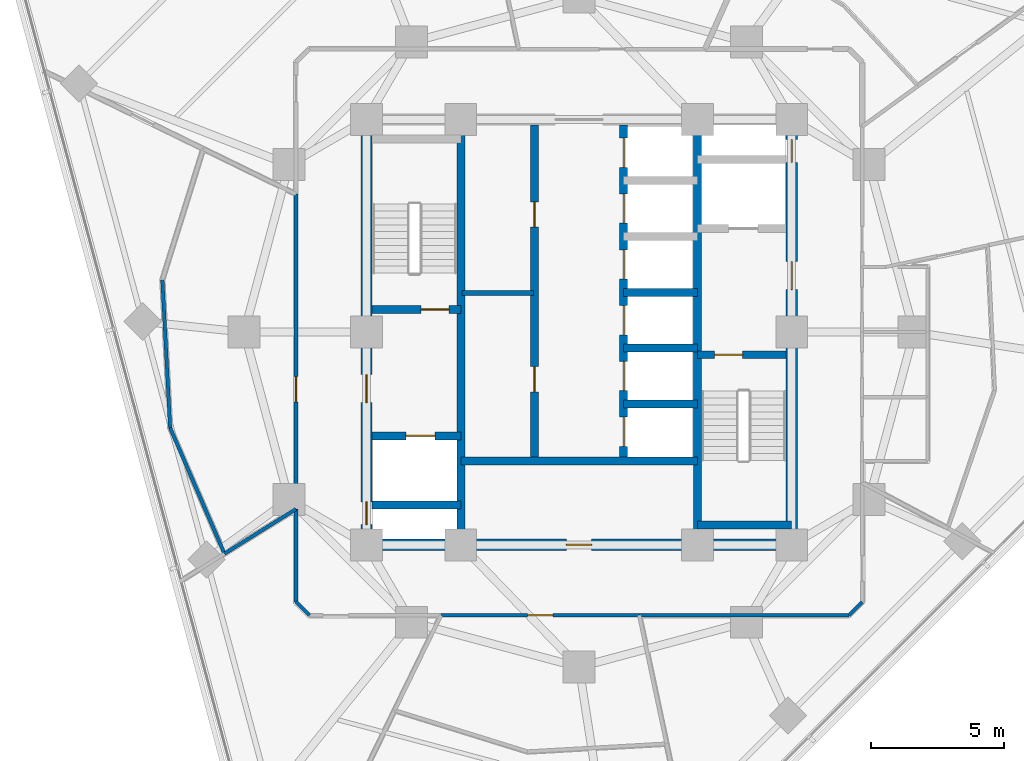
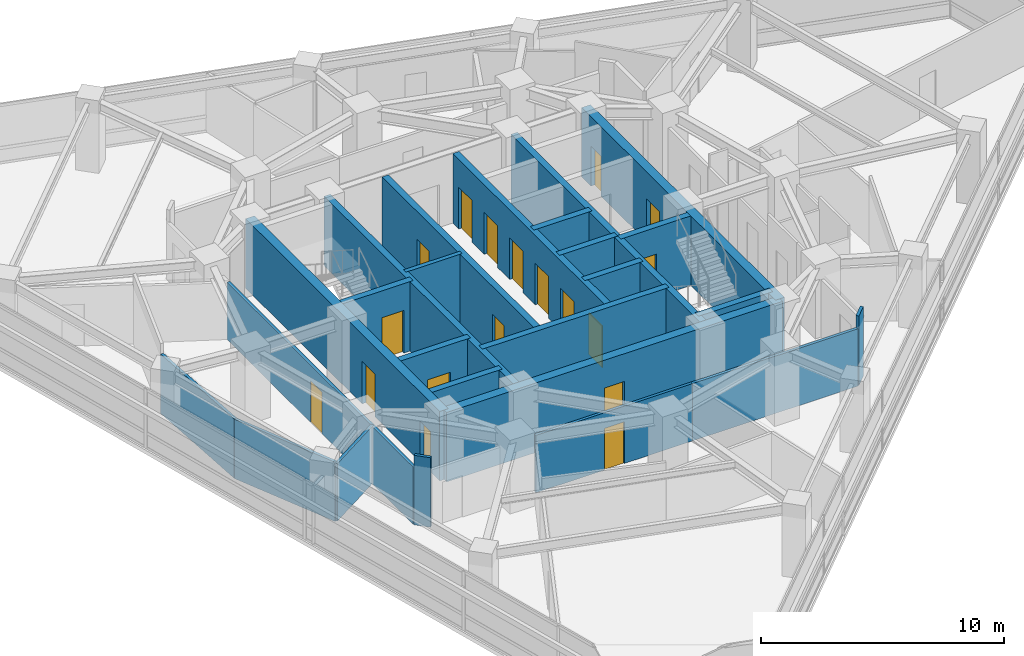
# One storey, part 7 of 14: 26 walls, 18 doors, 18 openings.
"""IFC4 building model written with IfcOpenShell, lengths in metres."""

from ifc_helpers import new_model, si_unit, direction, frame, frame_2d, origin, place, context, subcontext, project, spatial, rectangle, extrude, material, layer, layer_set, type_object, element, fill, save


model = new_model("IFC4")

# Units and contexts
model_context = context("Model", 3, precision=1e-05, world=origin(), true_north=direction((0.0, 1.0)))
body_context = subcontext(model_context, "Body", "Model", "MODEL_VIEW")
ifc_project = project(units=[si_unit("LENGTHUNIT", "METRE"), si_unit("AREAUNIT", "SQUARE_METRE"), si_unit("VOLUMEUNIT", "CUBIC_METRE"), si_unit("PLANEANGLEUNIT", "RADIAN"), si_unit("MASSUNIT", "GRAM", prefix="KILO")], contexts=[model_context])

# Site, building, storey
site_placement = place(None, origin())
site = spatial("IfcSite", under=ifc_project, at=site_placement, CompositionType="ELEMENT")
building_placement = place(site_placement, origin())
building = spatial("IfcBuilding", under=site, at=building_placement, Name="Terralouvre Media Tower", CompositionType="ELEMENT")
storey_placement = place(building_placement, frame((0.0, 0.0, 184.199951171875)))
storey = spatial("IfcBuildingStorey", under=building, at=storey_placement, Name="L47", CompositionType="ELEMENT", Elevation=184.199951171875)

# Walls
ifc_material_1 = material(Name="Concrete C50/60", Category="concrete")
ifc_layer_1 = layer(ifc_material_1, 0.300048828125, Name="Core Internal Shaft Wall CW-300")
ifc_layer_set_1 = layer_set([ifc_layer_1], Name="Concrete C50/60")
wall_type_1 = type_object("IfcWallType", Name="Core Internal Shaft Wall CW-300", PredefinedType="SHEAR", material=ifc_layer_set_1)
for number, where, z_axis, x_axis, name in (
    (1, (-4.449951171875, -7.7900390625, 0.0), (0.0, 0.0, 1.0), (0.0, 1.0, 0.0), "L47 Core Shaft Wall SPW"),
    (2, (4.449951171875, -7.7900390625, 0.0), (0.0, 0.0, 1.0), (0.0, 1.0, 0.0), "L47 Core Shaft Wall SPE"),
):
    element("IfcWall", number, at=place(storey_placement, frame(where, z_axis=z_axis, x_axis=x_axis)), inside=storey, type_object=wall_type_1, Name=name, PredefinedType="SHEAR", context=body_context, shape_type="SweptSolid", body=[
        extrude(rectangle(XDim=15.580078125, YDim=0.300048828125, at=frame_2d((7.7900390625, 0.0))), origin(), (0.0, 0.0, 1.0), 3.5),
    ])

# Wall, opening, door
wall_1_placement = place(storey_placement, frame((-7.7900390625, 0.85009765625, 0.0), z_axis=(0.0, 0.0, 1.0), x_axis=(1.0, 0.0, 0.0)))
wall_1 = element("IfcWall", 3, at=wall_1_placement, inside=storey, type_object=wall_type_1, Name="L47 Core Shaft Wall ST1D", PredefinedType="SHEAR", context=body_context, shape_type="SweptSolid", body=[
    extrude(rectangle(XDim=3.340087890625, YDim=0.300048828125, at=frame_2d((1.669921875, 0.0))), origin(), (0.0, 0.0, 1.0), 3.5),
])
opening_1_placement = place(wall_1_placement, frame((1.85009765625, 0.0, 0.0)))
opening_1 = element("IfcOpeningElement", 4, at=opening_1_placement, cuts=wall_1, Name="Opening FD-01-105X215", PredefinedType="OPENING", context=body_context, shape_type="SweptSolid", body=[
    extrude(rectangle(XDim=1.050048828125, YDim=2.14990234375, at=frame_2d((0.52490234375, 1.074951171875))), frame((0.0, 0.159912109375, 0.0), z_axis=(0.0, -1.0, 0.0), x_axis=(1.0, 0.0, 0.0)), (0.0, 0.0, 1.0), 0.320068359375),
])
ifc_material_2 = material(Name="Galvanised steel fire-resisting leaf", Category="steel")
door_type_1 = type_object("IfcDoorType", Name="Stair and Firefighting Lobby Fire Door FD-01 (1050x2150)", OperationType="NOTDEFINED", PredefinedType="DOOR", material=ifc_material_2)
door_1_placement = place(opening_1_placement, origin())
door_1 = element("IfcDoor", 5, at=door_1_placement, inside=storey, type_object=door_type_1, Name="L47 ST-01 Exit Stair Door", OperationType="SINGLE_SWING_LEFT", OverallHeight=2.14990234375, OverallWidth=1.050048828125, PredefinedType="DOOR", context=body_context, shape_type="SweptSolid", body=[
    extrude(rectangle(XDim=1.050048828125, YDim=2.14990234375, at=frame_2d((0.52490234375, 1.074951171875))), frame((0.0, 0.02490234375, 0.0), z_axis=(0.0, -1.0, 0.0), x_axis=(1.0, 0.0, 0.0)), (0.0, 0.0, 1.0), 0.050048828125),
])
fill(opening_1, door_1)

wall_2_placement = place(storey_placement, frame((4.449951171875, -0.85009765625, 0.0), z_axis=(0.0, 0.0, 1.0), x_axis=(1.0, 0.0, 0.0)))
wall_2 = element("IfcWall", 6, at=wall_2_placement, inside=storey, type_object=wall_type_1, Name="L47 Core Shaft Wall ST2D", PredefinedType="SHEAR", context=body_context, shape_type="SweptSolid", body=[
    extrude(rectangle(XDim=3.340087890625, YDim=0.300048828125, at=frame_2d((1.669921875, 0.0))), origin(), (0.0, 0.0, 1.0), 3.5),
])
opening_2_placement = place(wall_2_placement, frame((0.64990234375, 0.0, 0.0)))
opening_2 = element("IfcOpeningElement", 7, at=opening_2_placement, cuts=wall_2, Name="Opening FD-01-105X215", PredefinedType="OPENING", context=body_context, shape_type="SweptSolid", body=[
    extrude(rectangle(XDim=1.050048828125, YDim=2.14990234375, at=frame_2d((0.52490234375, 1.074951171875))), frame((0.0, 0.159912109375, 0.0), z_axis=(0.0, -1.0, 0.0), x_axis=(1.0, 0.0, 0.0)), (0.0, 0.0, 1.0), 0.320068359375),
])
door_2_placement = place(opening_2_placement, origin())
door_2 = element("IfcDoor", 8, at=door_2_placement, inside=storey, type_object=door_type_1, Name="L47 ST-02 Exit Stair Door", OperationType="SINGLE_SWING_RIGHT", OverallHeight=2.14990234375, OverallWidth=1.050048828125, PredefinedType="DOOR", context=body_context, shape_type="SweptSolid", body=[
    extrude(rectangle(XDim=1.050048828125, YDim=2.14990234375, at=frame_2d((0.52490234375, 1.074951171875))), frame((0.0, 0.02490234375, 0.0), z_axis=(0.0, -1.0, 0.0), x_axis=(1.0, 0.0, 0.0)), (0.0, 0.0, 1.0), 0.050048828125),
])
fill(opening_2, door_2)

# Wall
wall_3_placement = place(storey_placement, frame((4.449951171875, -7.260009765625, 0.0), z_axis=(0.0, 0.0, 1.0), x_axis=(1.0, 0.0, 0.0)))
element("IfcWall", 9, at=wall_3_placement, inside=storey, type_object=wall_type_1, Name="L47 Core Shaft Wall ST2F", PredefinedType="SHEAR", context=body_context, shape_type="SweptSolid", body=[
    extrude(rectangle(XDim=3.550048828125, YDim=0.300048828125, at=frame_2d((1.77490234375, 0.0))), origin(), (0.0, 0.0, 1.0), 3.5),
])

# Wall, opening, door
wall_4_placement = place(storey_placement, frame((-7.7900390625, -3.89990234375, 0.0), z_axis=(0.0, 0.0, 1.0), x_axis=(1.0, 0.0, 0.0)))
wall_4 = element("IfcWall", 10, at=wall_4_placement, inside=storey, type_object=wall_type_1, Name="L47 Core Shaft Wall FF1N", PredefinedType="SHEAR", context=body_context, shape_type="SweptSolid", body=[
    extrude(rectangle(XDim=3.340087890625, YDim=0.300048828125, at=frame_2d((1.669921875, 0.0))), origin(), (0.0, 0.0, 1.0), 3.5),
])
opening_3_placement = place(wall_4_placement, frame((1.27001953125, 0.0, 0.0)))
opening_3 = element("IfcOpeningElement", 11, at=opening_3_placement, cuts=wall_4, Name="Opening LD-FF", PredefinedType="OPENING", context=body_context, shape_type="SweptSolid", body=[
    extrude(rectangle(XDim=1.10009765625, YDim=2.10009765625, at=frame_2d((0.550048828125, 1.050048828125))), frame((0.0, 0.159912109375, 0.0), z_axis=(0.0, -1.0, 0.0), x_axis=(1.0, 0.0, 0.0)), (0.0, 0.0, 1.0), 0.320068359375),
])
ifc_material_3 = material(Name="Stainless steel 316 handrail and balustrade", Category="steel")
door_type_2 = type_object("IfcDoorType", Name="Firefighting Lift Sliding Landing Door LD-FF", OperationType="SLIDING_TO_LEFT", PredefinedType="DOOR", material=ifc_material_3)
door_3_placement = place(opening_3_placement, origin())
door_3 = element("IfcDoor", 12, at=door_3_placement, inside=storey, type_object=door_type_2, Name="L47 Firefighting Lift FFL-01 Landing Door", OperationType="SLIDING_TO_LEFT", OverallHeight=2.10009765625, OverallWidth=1.10009765625, PredefinedType="DOOR", context=body_context, shape_type="SweptSolid", body=[
    extrude(rectangle(XDim=1.10009765625, YDim=2.10009765625, at=frame_2d((0.550048828125, 1.050048828125))), frame((0.0, 0.02490234375, 0.0), z_axis=(0.0, -1.0, 0.0), x_axis=(1.0, 0.0, 0.0)), (0.0, 0.0, 1.0), 0.050048828125),
])
fill(opening_3, door_3)

# Walls
wall_5_placement = place(storey_placement, frame((-7.7900390625, -6.5, 0.0), z_axis=(0.0, 0.0, 1.0), x_axis=(1.0, 0.0, 0.0)))
element("IfcWall", 13, at=wall_5_placement, inside=storey, type_object=wall_type_1, Name="L47 Core Shaft Wall FF1S", PredefinedType="SHEAR", context=body_context, shape_type="SweptSolid", body=[
    extrude(rectangle(XDim=3.340087890625, YDim=0.300048828125, at=frame_2d((1.669921875, 0.0))), origin(), (0.0, 0.0, 1.0), 3.5),
])
wall_6_placement = place(storey_placement, frame((-4.449951171875, -4.85009765625, 0.0), z_axis=(0.0, 0.0, 1.0), x_axis=(1.0, 0.0, 0.0)))
element("IfcWall", 14, at=wall_6_placement, inside=storey, type_object=wall_type_1, Name="L47 Core Shaft Wall CSBN", PredefinedType="SHEAR", context=body_context, shape_type="SweptSolid", body=[
    extrude(rectangle(XDim=8.89990234375, YDim=0.300048828125, at=frame_2d((4.449951171875, 0.0))), origin(), (0.0, 0.0, 1.0), 3.5),
])

# Wall, openings, doors
wall_7_placement = place(storey_placement, frame((-1.679931640625, -4.85009765625, 0.0), z_axis=(0.0, 0.0, 1.0), x_axis=(0.0, 1.0, 0.0)))
wall_7 = element("IfcWall", 15, at=wall_7_placement, inside=storey, type_object=wall_type_1, Name="L47 Core Shaft Wall LBW", PredefinedType="SHEAR", context=body_context, shape_type="SweptSolid", body=[
    extrude(rectangle(XDim=12.64013671875, YDim=0.300048828125, at=frame_2d((6.320068359375, 0.0))), origin(), (0.0, 0.0, 1.0), 3.5),
])
opening_4_placement = place(wall_7_placement, frame((2.60009765625, 0.0, 0.0)))
opening_4 = element("IfcOpeningElement", 16, at=opening_4_placement, cuts=wall_7, Name="Opening FD-02-95X210", PredefinedType="OPENING", context=body_context, shape_type="SweptSolid", body=[
    extrude(rectangle(XDim=0.949951171875, YDim=2.10009765625, at=frame_2d((0.47509765625, 1.050048828125))), frame((0.0, 0.159912109375, 0.0), z_axis=(0.0, -1.0, 0.0), x_axis=(1.0, 0.0, 0.0)), (0.0, 0.0, 1.0), 0.320068359375),
])
opening_5_placement = place(wall_7_placement, frame((8.800048828125, 0.0, 0.0)))
opening_5 = element("IfcOpeningElement", 17, at=opening_5_placement, cuts=wall_7, Name="Opening FD-04-95X210", PredefinedType="OPENING", context=body_context, shape_type="SweptSolid", body=[
    extrude(rectangle(XDim=0.949951171875, YDim=2.10009765625, at=frame_2d((0.47509765625, 1.050048828125))), frame((0.0, 0.159912109375, 0.0), z_axis=(0.0, -1.0, 0.0), x_axis=(1.0, 0.0, 0.0)), (0.0, 0.0, 1.0), 0.320068359375),
])
ifc_material_4 = material(Name="Galvanised steel fire-resisting leaf", Category="steel")
door_type_3 = type_object("IfcDoorType", Name="Core Store and Service Fire Door FD-04 (950x2100)", OperationType="NOTDEFINED", PredefinedType="DOOR", material=ifc_material_4)
door_4_placement = place(opening_5_placement, origin())
door_4 = element("IfcDoor", 18, at=door_4_placement, inside=storey, type_object=door_type_3, Name="L47 Core Linen Store Door", OperationType="SINGLE_SWING_RIGHT", OverallHeight=2.10009765625, OverallWidth=0.949951171875, PredefinedType="DOOR", context=body_context, shape_type="SweptSolid", body=[
    extrude(rectangle(XDim=0.949951171875, YDim=2.10009765625, at=frame_2d((0.47509765625, 1.050048828125))), frame((0.0, 0.02490234375, 0.0), z_axis=(0.0, -1.0, 0.0), x_axis=(1.0, 0.0, 0.0)), (0.0, 0.0, 1.0), 0.050048828125),
])
fill(opening_5, door_4)
ifc_material_5 = material(Name="Galvanised steel fire-resisting leaf", Category="steel")
door_type_4 = type_object("IfcDoorType", Name="Plant and Riser Fire Door FD-02 (950x2100)", OperationType="NOTDEFINED", PredefinedType="DOOR", material=ifc_material_5)
door_5_placement = place(opening_4_placement, origin())
door_5 = element("IfcDoor", 19, at=door_5_placement, inside=storey, type_object=door_type_4, Name="L47 Core Fibre Patch Plant Door", OperationType="SINGLE_SWING_LEFT", OverallHeight=2.10009765625, OverallWidth=0.949951171875, PredefinedType="DOOR", context=body_context, shape_type="SweptSolid", body=[
    extrude(rectangle(XDim=0.949951171875, YDim=2.10009765625, at=frame_2d((0.47509765625, 1.050048828125))), frame((0.0, 0.02490234375, 0.0), z_axis=(0.0, -1.0, 0.0), x_axis=(1.0, 0.0, 0.0)), (0.0, 0.0, 1.0), 0.050048828125),
])
fill(opening_4, door_5)

wall_8_placement = place(storey_placement, frame((1.679931640625, -4.85009765625, 0.0), z_axis=(0.0, 0.0, 1.0), x_axis=(0.0, 1.0, 0.0)))
wall_8 = element("IfcWall", 20, at=wall_8_placement, inside=storey, type_object=wall_type_1, Name="L47 Core Shaft Wall LBE", PredefinedType="SHEAR", context=body_context, shape_type="SweptSolid", body=[
    extrude(rectangle(XDim=12.64013671875, YDim=0.300048828125, at=frame_2d((6.320068359375, 0.0))), origin(), (0.0, 0.0, 1.0), 3.5),
])
opening_6_placement = place(wall_8_placement, frame((0.550048828125, 0.0, 0.0)))
opening_6 = element("IfcOpeningElement", 21, at=opening_6_placement, cuts=wall_8, Name="Opening LD-PL", PredefinedType="OPENING", context=body_context, shape_type="SweptSolid", body=[
    extrude(rectangle(XDim=1.10009765625, YDim=2.10009765625, at=frame_2d((0.550048828125, 1.050048828125))), frame((0.0, 0.159912109375, 0.0), z_axis=(0.0, -1.0, 0.0), x_axis=(1.0, 0.0, 0.0)), (0.0, 0.0, 1.0), 0.320068359375),
])
opening_7_placement = place(wall_8_placement, frame((2.64990234375, 0.0, 0.0)))
opening_7 = element("IfcOpeningElement", 22, at=opening_7_placement, cuts=wall_8, Name="Opening LD-PL", PredefinedType="OPENING", context=body_context, shape_type="SweptSolid", body=[
    extrude(rectangle(XDim=1.10009765625, YDim=2.10009765625, at=frame_2d((0.550048828125, 1.050048828125))), frame((0.0, 0.159912109375, 0.0), z_axis=(0.0, -1.0, 0.0), x_axis=(1.0, 0.0, 0.0)), (0.0, 0.0, 1.0), 0.320068359375),
])
opening_8_placement = place(wall_8_placement, frame((4.75, 0.0, 0.0)))
opening_8 = element("IfcOpeningElement", 23, at=opening_8_placement, cuts=wall_8, Name="Opening LD-PL", PredefinedType="OPENING", context=body_context, shape_type="SweptSolid", body=[
    extrude(rectangle(XDim=1.10009765625, YDim=2.10009765625, at=frame_2d((0.550048828125, 1.050048828125))), frame((0.0, 0.159912109375, 0.0), z_axis=(0.0, -1.0, 0.0), x_axis=(1.0, 0.0, 0.0)), (0.0, 0.0, 1.0), 0.320068359375),
])
opening_9_placement = place(wall_8_placement, frame((6.85009765625, 0.0, 0.0)))
opening_9 = element("IfcOpeningElement", 24, at=opening_9_placement, cuts=wall_8, Name="Opening LD-PL", PredefinedType="OPENING", context=body_context, shape_type="SweptSolid", body=[
    extrude(rectangle(XDim=1.10009765625, YDim=2.10009765625, at=frame_2d((0.550048828125, 1.050048828125))), frame((0.0, 0.159912109375, 0.0), z_axis=(0.0, -1.0, 0.0), x_axis=(1.0, 0.0, 0.0)), (0.0, 0.0, 1.0), 0.320068359375),
])
opening_10_placement = place(wall_8_placement, frame((8.949951171875, 0.0, 0.0)))
opening_10 = element("IfcOpeningElement", 25, at=opening_10_placement, cuts=wall_8, Name="Opening LD-PL", PredefinedType="OPENING", context=body_context, shape_type="SweptSolid", body=[
    extrude(rectangle(XDim=1.10009765625, YDim=2.10009765625, at=frame_2d((0.550048828125, 1.050048828125))), frame((0.0, 0.159912109375, 0.0), z_axis=(0.0, -1.0, 0.0), x_axis=(1.0, 0.0, 0.0)), (0.0, 0.0, 1.0), 0.320068359375),
])
opening_11_placement = place(wall_8_placement, frame((11.050048828125, 0.0, 0.0)))
opening_11 = element("IfcOpeningElement", 26, at=opening_11_placement, cuts=wall_8, Name="Opening LD-PL", PredefinedType="OPENING", context=body_context, shape_type="SweptSolid", body=[
    extrude(rectangle(XDim=1.10009765625, YDim=2.10009765625, at=frame_2d((0.550048828125, 1.050048828125))), frame((0.0, 0.159912109375, 0.0), z_axis=(0.0, -1.0, 0.0), x_axis=(1.0, 0.0, 0.0)), (0.0, 0.0, 1.0), 0.320068359375),
])
ifc_material_6 = material(Name="Stainless steel 316 handrail and balustrade", Category="steel")
door_type_5 = type_object("IfcDoorType", Name="Passenger Lift Sliding Landing Door LD-PL", OperationType="SLIDING_TO_LEFT", PredefinedType="DOOR", material=ifc_material_6)
door_6_placement = place(opening_6_placement, origin())
door_6 = element("IfcDoor", 27, at=door_6_placement, inside=storey, type_object=door_type_5, Name="L47 High-Rise Lift PL-H1 Landing Door", OperationType="SLIDING_TO_LEFT", OverallHeight=2.10009765625, OverallWidth=1.10009765625, PredefinedType="DOOR", context=body_context, shape_type="SweptSolid", body=[
    extrude(rectangle(XDim=1.10009765625, YDim=2.10009765625, at=frame_2d((0.550048828125, 1.050048828125))), frame((0.0, 0.02490234375, 0.0), z_axis=(0.0, -1.0, 0.0), x_axis=(1.0, 0.0, 0.0)), (0.0, 0.0, 1.0), 0.050048828125),
])
fill(opening_6, door_6)
door_7_placement = place(opening_7_placement, origin())
door_7 = element("IfcDoor", 28, at=door_7_placement, inside=storey, type_object=door_type_5, Name="L47 High-Rise Lift PL-H2 Landing Door", OperationType="SLIDING_TO_LEFT", OverallHeight=2.10009765625, OverallWidth=1.10009765625, PredefinedType="DOOR", context=body_context, shape_type="SweptSolid", body=[
    extrude(rectangle(XDim=1.10009765625, YDim=2.10009765625, at=frame_2d((0.550048828125, 1.050048828125))), frame((0.0, 0.02490234375, 0.0), z_axis=(0.0, -1.0, 0.0), x_axis=(1.0, 0.0, 0.0)), (0.0, 0.0, 1.0), 0.050048828125),
])
fill(opening_7, door_7)
door_8_placement = place(opening_8_placement, origin())
door_8 = element("IfcDoor", 29, at=door_8_placement, inside=storey, type_object=door_type_5, Name="L47 High-Rise Lift PL-H3 Landing Door", OperationType="SLIDING_TO_LEFT", OverallHeight=2.10009765625, OverallWidth=1.10009765625, PredefinedType="DOOR", context=body_context, shape_type="SweptSolid", body=[
    extrude(rectangle(XDim=1.10009765625, YDim=2.10009765625, at=frame_2d((0.550048828125, 1.050048828125))), frame((0.0, 0.02490234375, 0.0), z_axis=(0.0, -1.0, 0.0), x_axis=(1.0, 0.0, 0.0)), (0.0, 0.0, 1.0), 0.050048828125),
])
fill(opening_8, door_8)
door_9_placement = place(opening_9_placement, origin())
door_9 = element("IfcDoor", 30, at=door_9_placement, inside=storey, type_object=door_type_5, Name="L47 Mid-Rise Lift PL-M1 Landing Door", OperationType="SLIDING_TO_LEFT", OverallHeight=2.10009765625, OverallWidth=1.10009765625, PredefinedType="DOOR", context=body_context, shape_type="SweptSolid", body=[
    extrude(rectangle(XDim=1.10009765625, YDim=2.10009765625, at=frame_2d((0.550048828125, 1.050048828125))), frame((0.0, 0.02490234375, 0.0), z_axis=(0.0, -1.0, 0.0), x_axis=(1.0, 0.0, 0.0)), (0.0, 0.0, 1.0), 0.050048828125),
])
fill(opening_9, door_9)
door_10_placement = place(opening_10_placement, origin())
door_10 = element("IfcDoor", 31, at=door_10_placement, inside=storey, type_object=door_type_5, Name="L47 Mid-Rise Lift PL-M2 Landing Door", OperationType="SLIDING_TO_LEFT", OverallHeight=2.10009765625, OverallWidth=1.10009765625, PredefinedType="DOOR", context=body_context, shape_type="SweptSolid", body=[
    extrude(rectangle(XDim=1.10009765625, YDim=2.10009765625, at=frame_2d((0.550048828125, 1.050048828125))), frame((0.0, 0.02490234375, 0.0), z_axis=(0.0, -1.0, 0.0), x_axis=(1.0, 0.0, 0.0)), (0.0, 0.0, 1.0), 0.050048828125),
])
fill(opening_10, door_10)
door_11_placement = place(opening_11_placement, origin())
door_11 = element("IfcDoor", 32, at=door_11_placement, inside=storey, type_object=door_type_5, Name="L47 Mid-Rise Lift PL-M3 Landing Door", OperationType="SLIDING_TO_LEFT", OverallHeight=2.10009765625, OverallWidth=1.10009765625, PredefinedType="DOOR", context=body_context, shape_type="SweptSolid", body=[
    extrude(rectangle(XDim=1.10009765625, YDim=2.10009765625, at=frame_2d((0.550048828125, 1.050048828125))), frame((0.0, 0.02490234375, 0.0), z_axis=(0.0, -1.0, 0.0), x_axis=(1.0, 0.0, 0.0)), (0.0, 0.0, 1.0), 0.050048828125),
])
fill(opening_11, door_11)

# Walls
for number, where, z_axis, x_axis, name in (
    (33, (1.679931640625, 1.5, 0.0), (0.0, 0.0, 1.0), (1.0, 0.0, 0.0), "L47 Core Shaft Wall PLMD0"),
    (34, (1.679931640625, -2.699951171875, 0.0), (0.0, 0.0, 1.0), (1.0, 0.0, 0.0), "L47 Core Shaft Wall PLHD1"),
    (35, (1.679931640625, -0.60009765625, 0.0), (0.0, 0.0, 1.0), (1.0, 0.0, 0.0), "L47 Core Shaft Wall PLHD2"),
):
    element("IfcWall", number, at=place(storey_placement, frame(where, z_axis=z_axis, x_axis=x_axis)), inside=storey, type_object=wall_type_1, Name=name, PredefinedType="SHEAR", context=body_context, shape_type="SweptSolid", body=[
        extrude(rectangle(XDim=2.77001953125, YDim=0.300048828125, at=frame_2d((1.385009765625, 0.0))), origin(), (0.0, 0.0, 1.0), 3.5),
    ])

# Wall, openings, doors
ifc_material_7 = material(Name="Concrete C60/75", Category="concrete")
ifc_layer_2 = layer(ifc_material_7, 0.419921875, Name="Core Reinforced Concrete Shear Wall CW-420")
ifc_layer_set_2 = layer_set([ifc_layer_2], Name="Concrete C60/75")
wall_type_2 = type_object("IfcWallType", Name="Core Reinforced Concrete Shear Wall CW-420", PredefinedType="SHEAR", material=ifc_layer_set_2)
wall_9_placement = place(storey_placement, frame((-8.0, -8.0, 0.0), z_axis=(0.0, 0.0, 1.0), x_axis=(0.0, 1.0, 0.0)))
wall_9 = element("IfcWall", 36, at=wall_9_placement, inside=storey, type_object=wall_type_2, Name="L47 W Core Shear Wall", PredefinedType="SHEAR", context=body_context, shape_type="SweptSolid", body=[
    extrude(rectangle(XDim=16.0, YDim=0.419921875, at=frame_2d((8.0, 0.0))), origin(), (0.0, 0.0, 1.0), 3.5),
])
opening_12_placement = place(wall_9_placement, frame((0.76123046875, 0.0, 0.0)))
opening_12 = element("IfcOpeningElement", 37, at=opening_12_placement, cuts=wall_9, Name="Opening TD-R1", PredefinedType="OPENING", context=body_context, shape_type="SweptSolid", body=[
    extrude(rectangle(XDim=0.85009765625, YDim=2.02001953125, at=frame_2d((0.425048828125, 1.010009765625))), frame((0.0, 0.219970703125, 0.0), z_axis=(0.0, -1.0, 0.0), x_axis=(1.0, 0.0, 0.0)), (0.0, 0.0, 1.0), 0.43994140625),
])
opening_13_placement = place(wall_9_placement, frame((5.35009765625, 0.0, 0.0)))
opening_13 = element("IfcOpeningElement", 38, at=opening_13_placement, cuts=wall_9, Name="Opening FD-01-105X215", PredefinedType="OPENING", context=body_context, shape_type="SweptSolid", body=[
    extrude(rectangle(XDim=1.050048828125, YDim=2.14990234375, at=frame_2d((0.52490234375, 1.074951171875))), frame((0.0, 0.219970703125, 0.0), z_axis=(0.0, -1.0, 0.0), x_axis=(1.0, 0.0, 0.0)), (0.0, 0.0, 1.0), 0.43994140625),
])
ifc_material_8 = material(Name="Galvanised steel fire-resisting leaf", Category="steel")
door_type_6 = type_object("IfcDoorType", Name="Riser Inspection Access Trapdoor TD-R1", OperationType="NOTDEFINED", PredefinedType="TRAPDOOR", material=ifc_material_8)
door_12_placement = place(opening_12_placement, origin())
door_12 = element("IfcDoor", 39, at=door_12_placement, inside=storey, type_object=door_type_6, Name="L47 Wet Riser Access Trapdoor", OperationType="SINGLE_SWING_LEFT", OverallHeight=2.02001953125, OverallWidth=0.85009765625, PredefinedType="TRAPDOOR", context=body_context, shape_type="SweptSolid", body=[
    extrude(rectangle(XDim=0.85009765625, YDim=2.02001953125, at=frame_2d((0.425048828125, 1.010009765625))), frame((0.0, 0.02490234375, 0.0), z_axis=(0.0, -1.0, 0.0), x_axis=(1.0, 0.0, 0.0)), (0.0, 0.0, 1.0), 0.050048828125),
])
fill(opening_12, door_12)
door_13_placement = place(opening_13_placement, origin())
door_13 = element("IfcDoor", 40, at=door_13_placement, inside=storey, type_object=door_type_1, Name="L47 West Firefighting Lobby Entry Door", OperationType="SINGLE_SWING_RIGHT", OverallHeight=2.14990234375, OverallWidth=1.050048828125, PredefinedType="DOOR", context=body_context, shape_type="SweptSolid", body=[
    extrude(rectangle(XDim=1.050048828125, YDim=2.14990234375, at=frame_2d((0.52490234375, 1.074951171875))), frame((0.0, 0.02490234375, 0.0), z_axis=(0.0, -1.0, 0.0), x_axis=(1.0, 0.0, 0.0)), (0.0, 0.0, 1.0), 0.050048828125),
])
fill(opening_13, door_13)

wall_10_placement = place(storey_placement, frame((8.0, -8.0, 0.0), z_axis=(0.0, 0.0, 1.0), x_axis=(0.0, 1.0, 0.0)))
wall_10 = element("IfcWall", 41, at=wall_10_placement, inside=storey, type_object=wall_type_2, Name="L47 E Core Shear Wall", PredefinedType="SHEAR", context=body_context, shape_type="SweptSolid", body=[
    extrude(rectangle(XDim=16.0, YDim=0.419921875, at=frame_2d((8.0, 0.0))), origin(), (0.0, 0.0, 1.0), 3.5),
])
opening_14_placement = place(wall_10_placement, frame((9.60009765625, 0.0, 0.0)))
opening_14 = element("IfcOpeningElement", 42, at=opening_14_placement, cuts=wall_10, Name="Opening FD-01-105X215", PredefinedType="OPENING", context=body_context, shape_type="SweptSolid", body=[
    extrude(rectangle(XDim=1.050048828125, YDim=2.14990234375, at=frame_2d((0.52490234375, 1.074951171875))), frame((0.0, 0.219970703125, 0.0), z_axis=(0.0, -1.0, 0.0), x_axis=(1.0, 0.0, 0.0)), (0.0, 0.0, 1.0), 0.43994140625),
])
opening_15_placement = place(wall_10_placement, frame((14.388671875, 0.0, 0.0)))
opening_15 = element("IfcOpeningElement", 43, at=opening_15_placement, cuts=wall_10, Name="Opening TD-R1", PredefinedType="OPENING", context=body_context, shape_type="SweptSolid", body=[
    extrude(rectangle(XDim=0.85009765625, YDim=2.02001953125, at=frame_2d((0.425048828125, 1.010009765625))), frame((0.0, 0.219970703125, 0.0), z_axis=(0.0, -1.0, 0.0), x_axis=(1.0, 0.0, 0.0)), (0.0, 0.0, 1.0), 0.43994140625),
])
door_14_placement = place(opening_15_placement, origin())
door_14 = element("IfcDoor", 44, at=door_14_placement, inside=storey, type_object=door_type_6, Name="L47 East Comms Riser Access Trapdoor", OperationType="SINGLE_SWING_RIGHT", OverallHeight=2.02001953125, OverallWidth=0.85009765625, PredefinedType="TRAPDOOR", context=body_context, shape_type="SweptSolid", body=[
    extrude(rectangle(XDim=0.85009765625, YDim=2.02001953125, at=frame_2d((0.425048828125, 1.010009765625))), frame((0.0, 0.02490234375, 0.0), z_axis=(0.0, -1.0, 0.0), x_axis=(1.0, 0.0, 0.0)), (0.0, 0.0, 1.0), 0.050048828125),
])
fill(opening_15, door_14)
door_15_placement = place(opening_14_placement, origin())
door_15 = element("IfcDoor", 45, at=door_15_placement, inside=storey, type_object=door_type_1, Name="L47 East Firefighting Lobby Entry Door", OperationType="SINGLE_SWING_LEFT", OverallHeight=2.14990234375, OverallWidth=1.050048828125, PredefinedType="DOOR", context=body_context, shape_type="SweptSolid", body=[
    extrude(rectangle(XDim=1.050048828125, YDim=2.14990234375, at=frame_2d((0.52490234375, 1.074951171875))), frame((0.0, 0.02490234375, 0.0), z_axis=(0.0, -1.0, 0.0), x_axis=(1.0, 0.0, 0.0)), (0.0, 0.0, 1.0), 0.050048828125),
])
fill(opening_14, door_15)

# Wall, opening, door
wall_11_placement = place(storey_placement, frame((-8.0, -8.0, 0.0), z_axis=(0.0, 0.0, 1.0), x_axis=(1.0, 0.0, 0.0)))
wall_11 = element("IfcWall", 46, at=wall_11_placement, inside=storey, type_object=wall_type_2, Name="L47 S Core Shear Wall", PredefinedType="SHEAR", context=body_context, shape_type="SweptSolid", body=[
    extrude(rectangle(XDim=16.0, YDim=0.419921875, at=frame_2d((8.0, 0.0))), origin(), (0.0, 0.0, 1.0), 3.5),
])
opening_16_placement = place(wall_11_placement, frame((7.52001953125, 0.0, 0.0)))
opening_16 = element("IfcOpeningElement", 47, at=opening_16_placement, cuts=wall_11, Name="Opening FD-02-95X210", PredefinedType="OPENING", context=body_context, shape_type="SweptSolid", body=[
    extrude(rectangle(XDim=0.949951171875, YDim=2.10009765625, at=frame_2d((0.47509765625, 1.050048828125))), frame((0.0, 0.219970703125, 0.0), z_axis=(0.0, -1.0, 0.0), x_axis=(1.0, 0.0, 0.0)), (0.0, 0.0, 1.0), 0.43994140625),
])
door_16_placement = place(opening_16_placement, origin())
door_16 = element("IfcDoor", 48, at=door_16_placement, inside=storey, type_object=door_type_4, Name="L47 Core Switchgear Plant Door", OperationType="SINGLE_SWING_LEFT", OverallHeight=2.10009765625, OverallWidth=0.949951171875, PredefinedType="DOOR", context=body_context, shape_type="SweptSolid", body=[
    extrude(rectangle(XDim=0.949951171875, YDim=2.10009765625, at=frame_2d((0.47509765625, 1.050048828125))), frame((0.0, 0.02490234375, 0.0), z_axis=(0.0, -1.0, 0.0), x_axis=(1.0, 0.0, 0.0)), (0.0, 0.0, 1.0), 0.050048828125),
])
fill(opening_16, door_16)

# Wall
ifc_material_9 = material(Name="Fire-rated gypsum board drywall partition")
ifc_layer_3 = layer(ifc_material_9, 0.199951171875, Name="Fire-Rated Shaft and Lobby Partition FW-200")
ifc_layer_set_3 = layer_set([ifc_layer_3], Name="Fire-rated gypsum board drywall partition")
wall_type_3 = type_object("IfcWallType", Name="Fire-Rated Shaft and Lobby Partition FW-200", PredefinedType="SOLIDWALL", material=ifc_layer_set_3)
wall_12_placement = place(storey_placement, frame((-4.39990234375, 1.469970703125, 0.0), z_axis=(0.0, 0.0, 1.0), x_axis=(1.0, 0.0, 0.0)))
element("IfcWall", 49, at=wall_12_placement, inside=storey, type_object=wall_type_3, Name="L47 Core West Sub-Partition 1", PredefinedType="SOLIDWALL", context=body_context, shape_type="SweptSolid", body=[
    extrude(rectangle(XDim=2.679931640625, YDim=0.199951171875, at=frame_2d((1.33984375, 0.0))), origin(), (0.0, 0.0, 1.0), 3.5),
])

# Wall, opening, door
ifc_material_10 = material(Name="Fire-rated gypsum board drywall partition")
ifc_layer_4 = layer(ifc_material_10, 0.135009765625, Name="Newsroom Acoustic Partition PT-135")
ifc_layer_set_4 = layer_set([ifc_layer_4], Name="Fire-rated gypsum board drywall partition")
wall_type_4 = type_object("IfcWallType", Name="Newsroom Acoustic Partition PT-135", PredefinedType="PARTITIONING", material=ifc_layer_set_4)
wall_13_placement = place(storey_placement, frame((-10.64990234375, 5.194091796875, 0.0), z_axis=(0.0, 0.0, 1.0), x_axis=(0.0, -1.0, 0.0)))
wall_13 = element("IfcWall", 50, at=wall_13_placement, inside=storey, type_object=wall_type_4, Name="L47 Interior Partition 001", PredefinedType="PARTITIONING", context=body_context, shape_type="SweptSolid", body=[
    extrude(rectangle(XDim=11.84912109375, YDim=0.135009765625, at=frame_2d((5.924560546875, 0.0))), origin(), (0.0, 0.0, 1.0), 2.885009765625),
])
opening_17_placement = place(wall_13_placement, frame((6.871337890625, 0.0, 0.0)))
opening_17 = element("IfcOpeningElement", 51, at=opening_17_placement, cuts=wall_13, Name="Opening ID-02-95X210", PredefinedType="OPENING", context=body_context, shape_type="SweptSolid", body=[
    extrude(rectangle(XDim=0.949951171875, YDim=2.10009765625, at=frame_2d((0.47509765625, 1.050048828125))), frame((0.0, 0.077392578125, 0.0), z_axis=(0.0, -1.0, 0.0), x_axis=(1.0, 0.0, 0.0)), (0.0, 0.0, 1.0), 0.155029296875),
])
ifc_material_11 = material(Name="Engineered hardwood acoustic timber leaf", Category="wood")
door_type_7 = type_object("IfcDoorType", Name="Office and Meeting Room Door ID-02 (950x2100)", OperationType="NOTDEFINED", PredefinedType="DOOR", material=ifc_material_11)
door_17_placement = place(opening_17_placement, origin())
door_17 = element("IfcDoor", 52, at=door_17_placement, inside=storey, type_object=door_type_7, Name="L47 Foley Sound Creative Workshop 1 Door", OperationType="SINGLE_SWING_RIGHT", OverallHeight=2.10009765625, OverallWidth=0.949951171875, PredefinedType="DOOR", context=body_context, shape_type="SweptSolid", body=[
    extrude(rectangle(XDim=0.949951171875, YDim=2.10009765625, at=frame_2d((0.47509765625, 1.050048828125))), frame((0.0, 0.02490234375, 0.0), z_axis=(0.0, -1.0, 0.0), x_axis=(1.0, 0.0, 0.0)), (0.0, 0.0, 1.0), 0.050048828125),
])
fill(opening_17, door_17)

# Walls
wall_14_placement = place(storey_placement, frame((-10.64990234375, -6.655029296875, 0.0), z_axis=(0.0, 0.0, 1.0), x_axis=(0.0, -1.0, 0.0)))
element("IfcWall", 53, at=wall_14_placement, inside=storey, type_object=wall_type_4, Name="L47 Interior Partition 002", PredefinedType="PARTITIONING", context=body_context, shape_type="SweptSolid", body=[
    extrude(rectangle(XDim=3.494873046875, YDim=0.135009765625, at=frame_2d((1.74755859375, 0.0))), origin(), (0.0, 0.0, 1.0), 2.885009765625),
])
wall_15_placement = place(storey_placement, frame((-10.64990234375, -10.14990234375, 0.0), z_axis=(0.0, 0.0, 1.0), x_axis=(0.707106781187, -0.707106781187, 0.0)))
element("IfcWall", 54, at=wall_15_placement, inside=storey, type_object=wall_type_4, Name="L47 Interior Partition 003", PredefinedType="PARTITIONING", context=body_context, shape_type="SweptSolid", body=[
    extrude(rectangle(XDim=0.70703125, YDim=0.135009765625, at=frame_2d((0.353515625, 0.0))), origin(), (0.0, 0.0, 1.0), 3.5),
])

# Wall, opening, door
wall_16_placement = place(storey_placement, frame((-5.194091796875, -10.64990234375, 0.0), z_axis=(0.0, 0.0, 1.0), x_axis=(1.0, 0.0, 0.0)))
wall_16 = element("IfcWall", 55, at=wall_16_placement, inside=storey, type_object=wall_type_4, Name="L47 Interior Partition 005", PredefinedType="PARTITIONING", context=body_context, shape_type="SweptSolid", body=[
    extrude(rectangle(XDim=7.4580078125, YDim=0.135009765625, at=frame_2d((3.72900390625, 0.0))), origin(), (0.0, 0.0, 1.0), 2.885009765625),
])
opening_18_placement = place(wall_16_placement, frame((3.25390625, 0.0, 0.0)))
opening_18 = element("IfcOpeningElement", 56, at=opening_18_placement, cuts=wall_16, Name="Opening ID-02-95X210", PredefinedType="OPENING", context=body_context, shape_type="SweptSolid", body=[
    extrude(rectangle(XDim=0.949951171875, YDim=2.10009765625, at=frame_2d((0.47509765625, 1.050048828125))), frame((0.0, 0.077392578125, 0.0), z_axis=(0.0, -1.0, 0.0), x_axis=(1.0, 0.0, 0.0)), (0.0, 0.0, 1.0), 0.155029296875),
])
door_18_placement = place(opening_18_placement, origin())
door_18 = element("IfcDoor", 57, at=door_18_placement, inside=storey, type_object=door_type_7, Name="L47 Acoustic Listening Study 4 Door", OperationType="SINGLE_SWING_RIGHT", OverallHeight=2.10009765625, OverallWidth=0.949951171875, PredefinedType="DOOR", context=body_context, shape_type="SweptSolid", body=[
    extrude(rectangle(XDim=0.949951171875, YDim=2.10009765625, at=frame_2d((0.47509765625, 1.050048828125))), frame((0.0, 0.02490234375, 0.0), z_axis=(0.0, -1.0, 0.0), x_axis=(1.0, 0.0, 0.0)), (0.0, 0.0, 1.0), 0.050048828125),
])
fill(opening_18, door_18)

# Walls
wall_17_placement = place(storey_placement, frame((2.263916015625, -10.64990234375, 0.0), z_axis=(0.0, 0.0, 1.0), x_axis=(1.0, 0.0, 0.0)))
element("IfcWall", 58, at=wall_17_placement, inside=storey, type_object=wall_type_4, Name="L47 Interior Partition 006", PredefinedType="PARTITIONING", context=body_context, shape_type="SweptSolid", body=[
    extrude(rectangle(XDim=7.885986328125, YDim=0.135009765625, at=frame_2d((3.94287109375, 0.0))), origin(), (0.0, 0.0, 1.0), 2.885009765625),
])
wall_18_placement = place(storey_placement, frame((10.14990234375, -10.64990234375, 0.0), z_axis=(0.0, 0.0, 1.0), x_axis=(0.707106781187, 0.707106781187, 0.0)))
element("IfcWall", 59, at=wall_18_placement, inside=storey, type_object=wall_type_4, Name="L47 Interior Partition 007", PredefinedType="PARTITIONING", context=body_context, shape_type="SweptSolid", body=[
    extrude(rectangle(XDim=0.70703125, YDim=0.135009765625, at=frame_2d((0.353515625, 0.0))), origin(), (0.0, 0.0, 1.0), 3.5),
])
wall_19_placement = place(storey_placement, frame((-13.341064453125, -8.3359375, 0.0), z_axis=(0.0, 0.0, 1.0), x_axis=(0.848149563096, 0.529756848582, 0.0)))
element("IfcWall", 60, at=wall_19_placement, inside=storey, type_object=wall_type_4, Name="L47 Interior Partition 021", PredefinedType="PARTITIONING", context=body_context, shape_type="SweptSolid", body=[
    extrude(rectangle(XDim=3.173095703125, YDim=0.135009765625, at=frame_2d((1.58642578125, 0.0))), origin(), (0.0, 0.0, 1.0), 2.885009765625),
])
wall_20_placement = place(storey_placement, frame((-15.677001953125, 1.970947265625, 0.0), z_axis=(0.0, 0.0, 1.0), x_axis=(0.052349772407, -0.998628810584, 0.0)))
element("IfcWall", 61, at=wall_20_placement, inside=storey, type_object=wall_type_4, Name="L47 Interior Partition 024", PredefinedType="PARTITIONING", context=body_context, shape_type="SweptSolid", body=[
    extrude(rectangle(XDim=5.57763671875, YDim=0.135009765625, at=frame_2d((2.788818359375, 0.0))), origin(), (0.0, 0.0, 1.0), 2.985107421875),
])
wall_21_placement = place(storey_placement, frame((-15.385009765625, -3.59912109375, 0.0), z_axis=(0.0, 0.0, 1.0), x_axis=(0.396191247476, -0.918168010455, 0.0)))
element("IfcWall", 62, at=wall_21_placement, inside=storey, type_object=wall_type_4, Name="L47 Interior Partition 025", PredefinedType="PARTITIONING", context=body_context, shape_type="SweptSolid", body=[
    extrude(rectangle(XDim=5.158935546875, YDim=0.135009765625, at=frame_2d((2.57958984375, 0.0))), origin(), (0.0, 0.0, 1.0), 2.985107421875),
])

save(model, "model.ifc")
